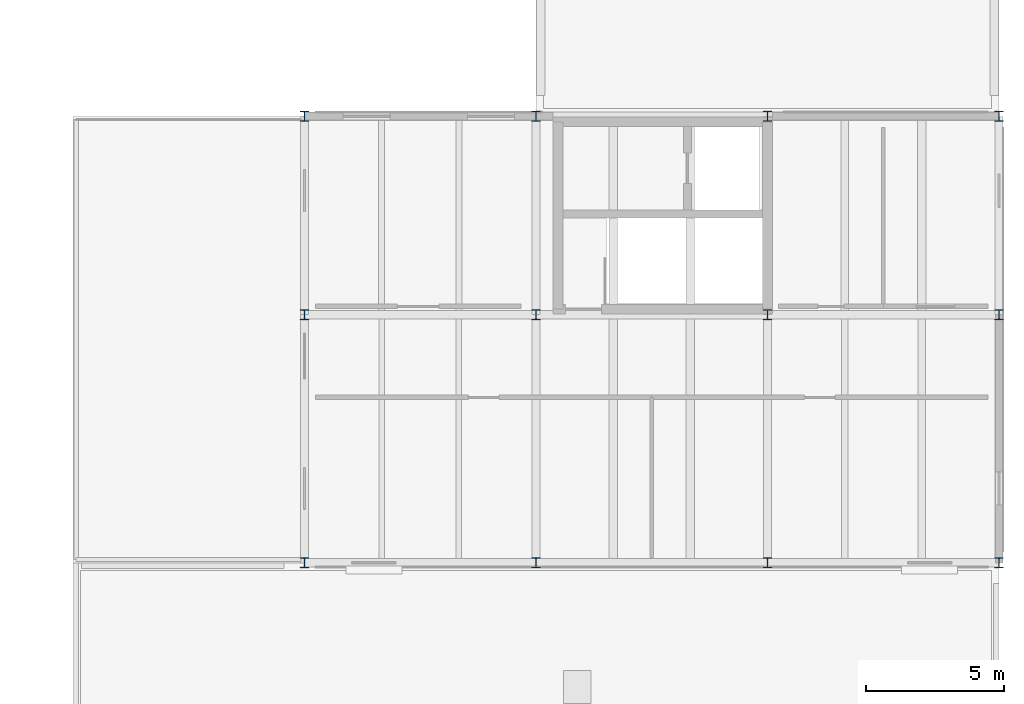
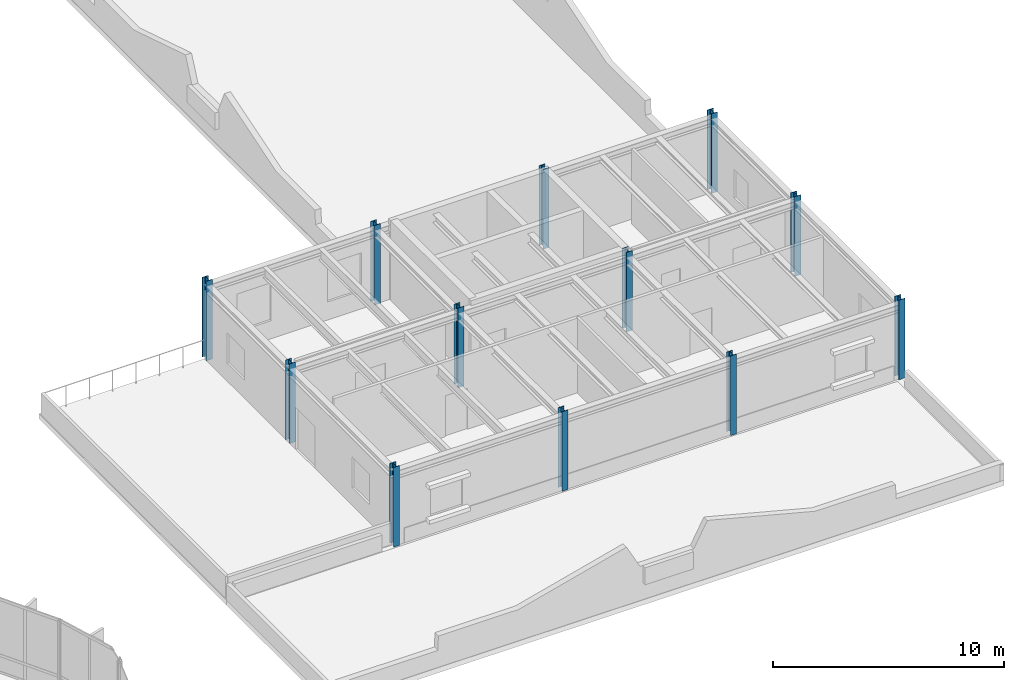
# One storey, part 5 of 31: 12 columns.
"""IFC4 building model written with IfcOpenShell, lengths in metres."""

from ifc_helpers import new_model, si_unit, direction, frame, origin, origin_2d, place, context, subcontext, project, spatial, i_section, extrude, material, material_profile, profile_set, type_object, element, save


model = new_model("IFC4")

# Units and contexts
model_context = context("Model", 3, precision=1e-05, world=origin(), true_north=direction((0.0, 1.0)))
body_context = subcontext(model_context, "Body", "Model", "MODEL_VIEW")
ifc_project = project(units=[si_unit("LENGTHUNIT", "METRE"), si_unit("AREAUNIT", "SQUARE_METRE"), si_unit("VOLUMEUNIT", "CUBIC_METRE"), si_unit("PLANEANGLEUNIT", "RADIAN"), si_unit("MASSUNIT", "GRAM", prefix="KILO")], contexts=[model_context])

# Site, building, storey
site_placement = place(None, origin())
site = spatial("IfcSite", under=ifc_project, at=site_placement, CompositionType="ELEMENT")
building_placement = place(site_placement, origin())
building = spatial("IfcBuilding", under=site, at=building_placement, Name="Montealbar Specialist Clinic", CompositionType="ELEMENT")
storey_placement = place(building_placement, frame((0.0, 0.0, 13.800048828125)))
storey = spatial("IfcBuildingStorey", under=building, at=storey_placement, Name="L03", CompositionType="ELEMENT", Elevation=13.800048828125)

# Columns
ifc_material = material(Name="Steel S355", Category="steel")
ifc_material_profile_1 = material_profile(ifc_material, i_section(OverallWidth=0.300048828125, OverallDepth=0.360107421875, WebThickness=0.012451171875, FlangeThickness=0.0224609375, FilletRadius=0.027099609375, at=origin_2d()), Name="HEB 360", Category="steel")
ifc_profile_set_1 = profile_set([ifc_material_profile_1], Name="Steel S355")
column_type_1 = type_object("IfcColumnType", Name="COL-S-L03-STD", PredefinedType="COLUMN", material=ifc_profile_set_1)
for number, where, z_axis, x_axis, name in (
    (1, (145.199951171875, 45.0, 0.0), (0.0, 0.0, 1.0), (1.0, 0.0, 0.0), "Column 19/F L03"),
    (2, (153.60009765625, 45.0, 0.0), (0.0, 0.0, 1.0), (1.0, 0.0, 0.0), "Column 20/F L03"),
):
    element("IfcColumn", number, at=place(storey_placement, frame(where, z_axis=z_axis, x_axis=x_axis)), inside=storey, type_object=column_type_1, Name=name, PredefinedType="COLUMN", context=body_context, shape_type="SweptSolid", body=[
        extrude(i_section(OverallWidth=0.300048828125, OverallDepth=0.360107421875, WebThickness=0.012451171875, FlangeThickness=0.0224609375, FilletRadius=0.027099609375, at=origin_2d()), origin(), (0.0, 0.0, 1.0), 4.199951171875),
    ])
ifc_material_profile_2 = material_profile(ifc_material, i_section(OverallWidth=0.300048828125, OverallDepth=0.360107421875, WebThickness=0.012451171875, FlangeThickness=0.0224609375, FilletRadius=0.027099609375, at=origin_2d()), Name="HEB 360", Category="steel")
ifc_profile_set_2 = profile_set([ifc_material_profile_2], Name="Steel S355")
column_type_2 = type_object("IfcColumnType", Name="COL-S-L03-STD-EXT", PredefinedType="COLUMN", material=ifc_profile_set_2)
for number, where, z_axis, x_axis, name in (
    (3, (136.800048828125, 36.0, 0.0), (0.0, 0.0, 1.0), (1.0, 0.0, 0.0), "Column 18/E L03"),
    (4, (136.800048828125, 45.0, 0.0), (0.0, 0.0, 1.0), (1.0, 0.0, 0.0), "Column 18/F L03"),
    (5, (136.800048828125, 52.199951171875, 0.0), (0.0, 0.0, 1.0), (1.0, 0.0, 0.0), "Column 18/G L03"),
    (6, (145.199951171875, 36.0, 0.0), (0.0, 0.0, 1.0), (1.0, 0.0, 0.0), "Column 19/E L03"),
    (7, (145.199951171875, 52.199951171875, 0.0), (0.0, 0.0, 1.0), (1.0, 0.0, 0.0), "Column 19/G L03"),
    (8, (153.60009765625, 36.0, 0.0), (0.0, 0.0, 1.0), (1.0, 0.0, 0.0), "Column 20/E L03"),
    (9, (153.60009765625, 52.199951171875, 0.0), (0.0, 0.0, 1.0), (1.0, 0.0, 0.0), "Column 20/G L03"),
    (10, (162.0, 36.0, 0.0), (0.0, 0.0, 1.0), (1.0, 0.0, 0.0), "Column 21/E L03"),
    (11, (162.0, 45.0, 0.0), (0.0, 0.0, 1.0), (1.0, 0.0, 0.0), "Column 21/F L03"),
    (12, (162.0, 52.199951171875, 0.0), (0.0, 0.0, 1.0), (1.0, 0.0, 0.0), "Column 21/G L03"),
):
    element("IfcColumn", number, at=place(storey_placement, frame(where, z_axis=z_axis, x_axis=x_axis)), inside=storey, type_object=column_type_2, Name=name, PredefinedType="COLUMN", context=body_context, shape_type="SweptSolid", body=[
        extrude(i_section(OverallWidth=0.300048828125, OverallDepth=0.360107421875, WebThickness=0.012451171875, FlangeThickness=0.0224609375, FilletRadius=0.027099609375, at=origin_2d()), origin(), (0.0, 0.0, 1.0), 4.199951171875),
    ])

save(model, "model.ifc")
